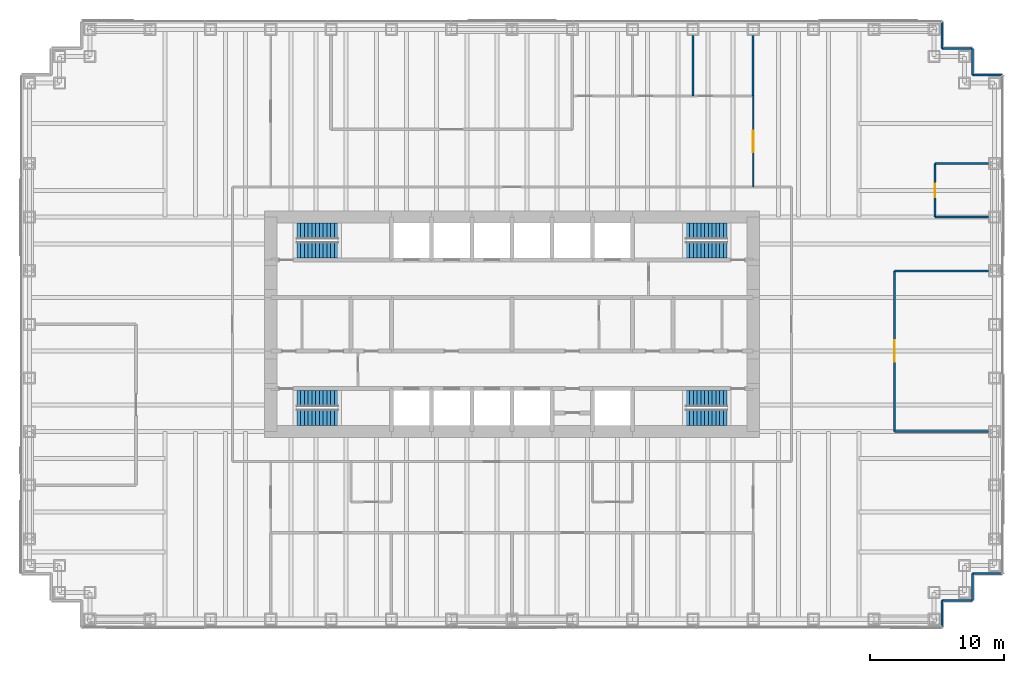
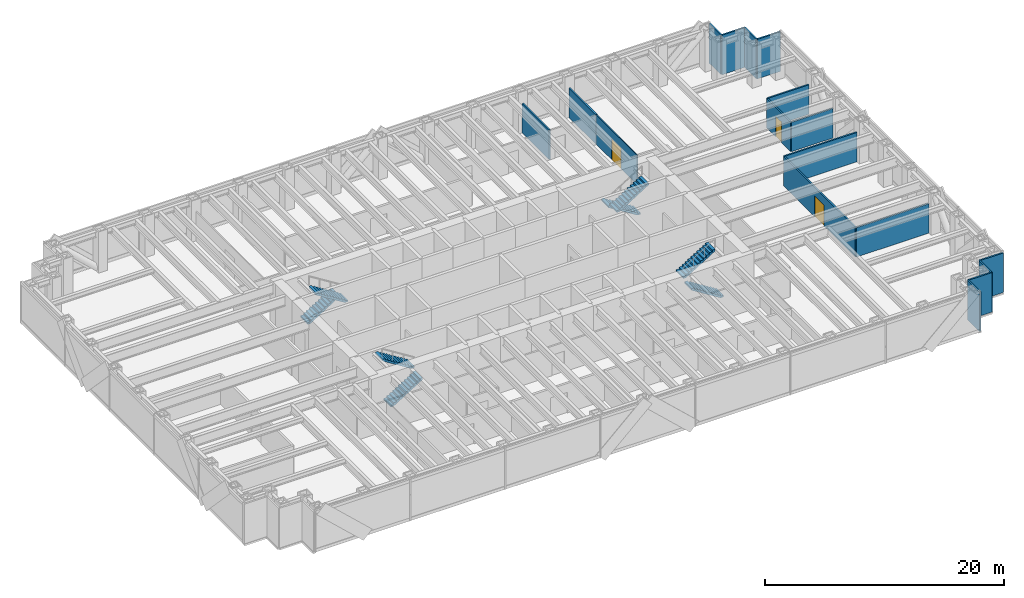
# One storey, part 14 of 15: 17 walls, 8 stair flights, 3 doors, 3 openings, 4 elements without a shape of their own.
"""IFC4 building model written with IfcOpenShell, lengths in metres."""

from ifc_helpers import new_model, si_unit, direction, frame, frame_2d, origin, place, context, subcontext, project, spatial, polyline, rectangle, outline, extrude, material, layer, layer_set, type_object, element, fill, aggregate, save


model = new_model("IFC4")

# Units and contexts
model_context = context("Model", 3, precision=1e-05, world=origin(), true_north=direction((0.0, 1.0)))
body_context = subcontext(model_context, "Body", "Model", "MODEL_VIEW")
ifc_project = project(units=[si_unit("LENGTHUNIT", "METRE"), si_unit("AREAUNIT", "SQUARE_METRE"), si_unit("VOLUMEUNIT", "CUBIC_METRE"), si_unit("PLANEANGLEUNIT", "RADIAN"), si_unit("MASSUNIT", "GRAM", prefix="KILO")], contexts=[model_context])

# Site, building, storey
site_placement = place(None, origin())
site = spatial("IfcSite", under=ifc_project, at=site_placement, CompositionType="ELEMENT")
building_placement = place(site_placement, origin())
building = spatial("IfcBuilding", under=site, at=building_placement, Name="Rheinbord Bourse Tower", CompositionType="ELEMENT")
storey_placement = place(building_placement, frame((0.0, 0.0, 150.89990234375)))
storey = spatial("IfcBuildingStorey", under=building, at=storey_placement, Name="L33", CompositionType="ELEMENT", Elevation=150.89990234375)

# Walls
ifc_material_1 = material(Name="Black metal rainscreen panel", Category="aluminium")
ifc_layer_1 = layer(ifc_material_1, 0.14990234375)
ifc_layer_set_1 = layer_set([ifc_layer_1], Name="CORNER PIER CLADDING 150")
wall_type_1 = type_object("IfcWallType", Name="CORNER PIER CLADDING 150", PredefinedType="ELEMENTEDWALL", material=ifc_layer_set_1)
wall_1_placement = place(storey_placement, frame((68.10009765625, 1.39990234375, 0.0), z_axis=(0.0, 0.0, 1.0), x_axis=(0.0, 1.0, 0.0)))
element("IfcWall", 1, at=wall_1_placement, inside=storey, type_object=wall_type_1, Name="Corner pier cladding L33 2", PredefinedType="ELEMENTEDWALL", context=body_context, shape_type="SweptSolid", body=[
    extrude(rectangle(XDim=2.0, YDim=0.14990234375, at=frame_2d((1.0, 0.0))), origin(), (0.0, 0.0, 1.0), 4.0400390625),
])
wall_2_placement = place(storey_placement, frame((68.10009765625, 3.39990234375, 0.0), z_axis=(0.0, 0.0, 1.0), x_axis=(1.0, 0.0, 0.0)))
element("IfcWall", 2, at=wall_2_placement, inside=storey, type_object=wall_type_1, Name="Corner pier cladding L33 3", PredefinedType="ELEMENTEDWALL", context=body_context, shape_type="SweptSolid", body=[
    extrude(rectangle(XDim=2.25, YDim=0.14990234375, at=frame_2d((1.125, 0.0))), origin(), (0.0, 0.0, 1.0), 4.0400390625),
])
wall_3_placement = place(storey_placement, frame((70.35009765625, 3.39990234375, 0.0), z_axis=(0.0, 0.0, 1.0), x_axis=(0.0, 1.0, 0.0)))
element("IfcWall", 3, at=wall_3_placement, inside=storey, type_object=wall_type_1, Name="Corner pier cladding L33 4", PredefinedType="ELEMENTEDWALL", context=body_context, shape_type="SweptSolid", body=[
    extrude(rectangle(XDim=2.0, YDim=0.14990234375, at=frame_2d((1.0, 0.0))), origin(), (0.0, 0.0, 1.0), 4.0400390625),
])
for number, where, z_axis, x_axis, name in (
    (4, (70.35009765625, 5.39990234375, 0.0), (0.0, 0.0, 1.0), (1.0, 0.0, 0.0), "Corner pier cladding L33 5"),
    (5, (72.60009765625, 42.60009765625, 0.0), (0.0, 0.0, 1.0), (-1.0, 0.0, 0.0), "Corner pier cladding L33 7"),
):
    element("IfcWall", number, at=place(storey_placement, frame(where, z_axis=z_axis, x_axis=x_axis)), inside=storey, type_object=wall_type_1, Name=name, PredefinedType="ELEMENTEDWALL", context=body_context, shape_type="SweptSolid", body=[
        extrude(rectangle(XDim=2.25, YDim=0.14990234375, at=frame_2d((1.125, 0.0))), origin(), (0.0, 0.0, 1.0), 4.0400390625),
    ])
wall_4_placement = place(storey_placement, frame((70.35009765625, 42.60009765625, 0.0), z_axis=(0.0, 0.0, 1.0), x_axis=(0.0, 1.0, 0.0)))
element("IfcWall", 6, at=wall_4_placement, inside=storey, type_object=wall_type_1, Name="Corner pier cladding L33 8", PredefinedType="ELEMENTEDWALL", context=body_context, shape_type="SweptSolid", body=[
    extrude(rectangle(XDim=2.0, YDim=0.14990234375, at=frame_2d((1.0, 0.0))), origin(), (0.0, 0.0, 1.0), 4.0400390625),
])
wall_5_placement = place(storey_placement, frame((70.35009765625, 44.60009765625, 0.0), z_axis=(0.0, 0.0, 1.0), x_axis=(-1.0, 0.0, 0.0)))
element("IfcWall", 7, at=wall_5_placement, inside=storey, type_object=wall_type_1, Name="Corner pier cladding L33 9", PredefinedType="ELEMENTEDWALL", context=body_context, shape_type="SweptSolid", body=[
    extrude(rectangle(XDim=2.25, YDim=0.14990234375, at=frame_2d((1.125, 0.0))), origin(), (0.0, 0.0, 1.0), 4.0400390625),
])
wall_6_placement = place(storey_placement, frame((68.10009765625, 44.60009765625, 0.0), z_axis=(0.0, 0.0, 1.0), x_axis=(0.0, 1.0, 0.0)))
element("IfcWall", 8, at=wall_6_placement, inside=storey, type_object=wall_type_1, Name="Corner pier cladding L33 10", PredefinedType="ELEMENTEDWALL", context=body_context, shape_type="SweptSolid", body=[
    extrude(rectangle(XDim=2.0, YDim=0.14990234375, at=frame_2d((1.0, 0.0))), origin(), (0.0, 0.0, 1.0), 4.0400390625),
])

# Wall, opening, door
ifc_material_2 = material(Name="Toughened laminated glass partition", Category="glass")
ifc_layer_2 = layer(ifc_material_2, 0.10009765625)
ifc_layer_set_2 = layer_set([ifc_layer_2], Name="GLAZED PARTITION 100")
wall_type_2 = type_object("IfcWallType", Name="GLAZED PARTITION 100", PredefinedType="PARTITIONING", material=ifc_layer_set_2)
wall_7_placement = place(storey_placement, frame((54.0, 34.25, 0.0), z_axis=(0.0, 0.0, 1.0), x_axis=(0.0, 1.0, 0.0)))
wall_7 = element("IfcWall", 9, at=wall_7_placement, inside=storey, type_object=wall_type_2, Name="Partition L33-32", PredefinedType="PARTITIONING", context=body_context, shape_type="SweptSolid", body=[
    extrude(rectangle(XDim=6.800048828125, YDim=0.10009765625, at=frame_2d((3.39990234375, 0.0))), origin(), (0.0, 0.0, 1.0), 3.0),
])
opening_1_placement = place(wall_7_placement, frame((2.60009765625, 0.0, 0.0)))
opening_1 = element("IfcOpeningElement", 10, at=opening_1_placement, cuts=wall_7, Name="Opening 33D17", PredefinedType="OPENING", context=body_context, shape_type="SweptSolid", body=[
    extrude(rectangle(XDim=1.60009765625, YDim=2.10009765625, at=frame_2d((0.800048828125, 1.050048828125))), frame((0.0, 0.06005859375, 0.0), z_axis=(0.0, -1.0, 0.0), x_axis=(1.0, 0.0, 0.0)), (0.0, 0.0, 1.0), 0.1201171875),
])
ifc_material_3 = material(Name="Timber door", Category="wood")
door_type_1 = type_object("IfcDoorType", Name="DOUBLE ROOM DOOR 1600", OperationType="DOUBLE_DOOR_DOUBLE_SWING", PredefinedType="DOOR", material=ifc_material_3)
door_1_placement = place(opening_1_placement, origin())
door_1 = element("IfcDoor", 11, at=door_1_placement, inside=storey, type_object=door_type_1, Name="Open area door L33", OperationType="SINGLE_SWING_LEFT", OverallHeight=2.10009765625, OverallWidth=1.60009765625, PredefinedType="DOOR", context=body_context, shape_type="SweptSolid", body=[
    extrude(rectangle(XDim=1.60009765625, YDim=2.10009765625, at=frame_2d((0.800048828125, 1.050048828125))), frame((0.0, 0.02490234375, 0.0), z_axis=(0.0, -1.0, 0.0), x_axis=(1.0, 0.0, 0.0)), (0.0, 0.0, 1.0), 0.050048828125),
])
fill(opening_1, door_1)

# Walls
ifc_material_4 = material(Name="Gypsum board partition", Category="gypsum board")
ifc_layer_3 = layer(ifc_material_4, 0.14990234375)
ifc_layer_set_3 = layer_set([ifc_layer_3], Name="PARTITION 150")
wall_type_3 = type_object("IfcWallType", Name="PARTITION 150", PredefinedType="PARTITIONING", material=ifc_layer_set_3)
for number, where, z_axis, x_axis, name in (
    (12, (64.550048828125, 16.0, 0.0), (0.0, 0.0, 1.0), (1.0, 0.0, 0.0), "Partition L33-06"),
    (13, (64.550048828125, 28.0, 0.0), (0.0, 0.0, 1.0), (1.0, 0.0, 0.0), "Partition L33-08"),
):
    element("IfcWall", number, at=place(storey_placement, frame(where, z_axis=z_axis, x_axis=x_axis)), inside=storey, type_object=wall_type_3, Name=name, PredefinedType="PARTITIONING", context=body_context, shape_type="SweptSolid", body=[
        extrude(rectangle(XDim=7.0, YDim=0.14990234375, at=frame_2d((3.5, 0.0))), origin(), (0.0, 0.0, 1.0), 3.0),
    ])
for number, where, z_axis, x_axis, name in (
    (14, (67.550048828125, 32.0, 0.0), (0.0, 0.0, 1.0), (1.0, 0.0, 0.0), "Partition L33-09"),
    (15, (67.550048828125, 36.0, 0.0), (0.0, 0.0, 1.0), (1.0, 0.0, 0.0), "Partition L33-11"),
):
    element("IfcWall", number, at=place(storey_placement, frame(where, z_axis=z_axis, x_axis=x_axis)), inside=storey, type_object=wall_type_3, Name=name, PredefinedType="PARTITIONING", context=body_context, shape_type="SweptSolid", body=[
        extrude(rectangle(XDim=4.0, YDim=0.14990234375, at=frame_2d((2.0, 0.0))), origin(), (0.0, 0.0, 1.0), 3.0),
    ])
for number, where, z_axis, x_axis, name in (
    (16, (49.5, 41.050048828125, 0.0), (0.0, 0.0, 1.0), (0.0, 1.0, 0.0), "Partition L33-29"),
    (17, (54.0, 41.050048828125, 0.0), (0.0, 0.0, 1.0), (0.0, 1.0, 0.0), "Partition L33-33"),
):
    element("IfcWall", number, at=place(storey_placement, frame(where, z_axis=z_axis, x_axis=x_axis)), inside=storey, type_object=wall_type_3, Name=name, PredefinedType="PARTITIONING", context=body_context, shape_type="SweptSolid", body=[
        extrude(rectangle(XDim=4.5, YDim=0.14990234375, at=frame_2d((2.25, 0.0))), origin(), (0.0, 0.0, 1.0), 3.0),
    ])

# Wall, opening, door
wall_8_placement = place(storey_placement, frame((64.550048828125, 16.0, 0.0), z_axis=(0.0, 0.0, 1.0), x_axis=(0.0, 1.0, 0.0)))
wall_8 = element("IfcWall", 18, at=wall_8_placement, inside=storey, type_object=wall_type_3, Name="Partition L33-35", PredefinedType="PARTITIONING", context=body_context, shape_type="SweptSolid", body=[
    extrude(rectangle(XDim=12.0, YDim=0.14990234375, at=frame_2d((6.0, 0.0))), origin(), (0.0, 0.0, 1.0), 3.0),
])
opening_2_placement = place(wall_8_placement, frame((5.199951171875, 0.0, 0.0)))
opening_2 = element("IfcOpeningElement", 19, at=opening_2_placement, cuts=wall_8, Name="Opening 33D08", PredefinedType="OPENING", context=body_context, shape_type="SweptSolid", body=[
    extrude(rectangle(XDim=1.60009765625, YDim=2.10009765625, at=frame_2d((0.800048828125, 1.050048828125))), frame((0.0, 0.0849609375, 0.0), z_axis=(0.0, -1.0, 0.0), x_axis=(1.0, 0.0, 0.0)), (0.0, 0.0, 1.0), 0.169921875),
])
door_2_placement = place(opening_2_placement, origin())
door_2 = element("IfcDoor", 20, at=door_2_placement, inside=storey, type_object=door_type_1, Name="Student lounge door L33", OperationType="SINGLE_SWING_LEFT", OverallHeight=2.10009765625, OverallWidth=1.60009765625, PredefinedType="DOOR", context=body_context, shape_type="SweptSolid", body=[
    extrude(rectangle(XDim=1.60009765625, YDim=2.10009765625, at=frame_2d((0.800048828125, 1.050048828125))), frame((0.0, 0.02490234375, 0.0), z_axis=(0.0, -1.0, 0.0), x_axis=(1.0, 0.0, 0.0)), (0.0, 0.0, 1.0), 0.050048828125),
])
fill(opening_2, door_2)

wall_9_placement = place(storey_placement, frame((67.550048828125, 32.0, 0.0), z_axis=(0.0, 0.0, 1.0), x_axis=(0.0, 1.0, 0.0)))
wall_9 = element("IfcWall", 21, at=wall_9_placement, inside=storey, type_object=wall_type_3, Name="Partition L33-36", PredefinedType="PARTITIONING", context=body_context, shape_type="SweptSolid", body=[
    extrude(rectangle(XDim=4.0, YDim=0.14990234375, at=frame_2d((2.0, 0.0))), origin(), (0.0, 0.0, 1.0), 3.0),
])
opening_3_placement = place(wall_9_placement, frame((1.5, 0.0, 0.0)))
opening_3 = element("IfcOpeningElement", 22, at=opening_3_placement, cuts=wall_9, Name="Opening 33D09", PredefinedType="OPENING", context=body_context, shape_type="SweptSolid", body=[
    extrude(rectangle(XDim=1.0, YDim=2.10009765625, at=frame_2d((0.5, 1.050048828125))), frame((0.0, 0.0849609375, 0.0), z_axis=(0.0, -1.0, 0.0), x_axis=(1.0, 0.0, 0.0)), (0.0, 0.0, 1.0), 0.169921875),
])
ifc_material_5 = material(Name="Timber door", Category="wood")
door_type_2 = type_object("IfcDoorType", Name="ROOM DOOR 1000", OperationType="SINGLE_SWING_LEFT", PredefinedType="DOOR", material=ifc_material_5)
door_3_placement = place(opening_3_placement, origin())
door_3 = element("IfcDoor", 23, at=door_3_placement, inside=storey, type_object=door_type_2, Name="Store door L33", OperationType="SINGLE_SWING_LEFT", OverallHeight=2.10009765625, OverallWidth=1.0, PredefinedType="DOOR", context=body_context, shape_type="SweptSolid", body=[
    extrude(rectangle(XDim=1.0, YDim=2.10009765625, at=frame_2d((0.5, 1.050048828125))), frame((0.0, 0.02490234375, 0.0), z_axis=(0.0, -1.0, 0.0), x_axis=(1.0, 0.0, 0.0)), (0.0, 0.0, 1.0), 0.050048828125),
])
fill(opening_3, door_3)

# Stair, stair flights
ifc_material_6 = material(Name="Concrete C30/37", Category="concrete")
stair_type = type_object("IfcStairType", Name="CORE STAIR HALF TURN 4200", PredefinedType="HALF_TURN_STAIR", material=ifc_material_6)
stair_1_placement = place(storey_placement, origin())
stair_1 = element("IfcStair", 24, at=stair_1_placement, inside=storey, type_object=stair_type, Name="Stair ST1 L33, type CS6", PredefinedType="HALF_TURN_STAIR")
ifc_material_7 = material(Name="Concrete C30/37", Category="concrete")
stair_flight_type = type_object("IfcStairFlightType", Name="CORE STAIR FLIGHT 1200, 12 RISERS", PredefinedType="STRAIGHT", material=ifc_material_7)
stair_flight_1_placement = place(storey_placement, frame((19.949951171875, 17.050048828125, 0.0), z_axis=(0.0, 0.0, 1.0), x_axis=(1.0, 0.0, 0.0)))
stair_flight_1 = element("IfcStairFlight", 25, at=stair_flight_1_placement, type_object=stair_flight_type, Name="STAIR L33 ST1 F1", NumberOfRisers=12, NumberOfTreads=11, PredefinedType="STRAIGHT", RiserHeight=0.175, TreadLength=0.28, context=body_context, shape_type="SweptSolid", body=[
    extrude(outline(polyline([(0.0, 0.0), (0.0, 0.175048828125), (0.280029296875, 0.175048828125), (0.280029296875, 0.35009765625), (0.56005859375, 0.35009765625), (0.56005859375, 0.52490234375), (0.840087890625, 0.52490234375), (0.840087890625, 0.699951171875), (1.1201171875, 0.699951171875), (1.1201171875, 0.875), (1.39990234375, 0.875), (1.39990234375, 1.050048828125), (1.679931640625, 1.050048828125), (1.679931640625, 1.22509765625), (1.9599609375, 1.22509765625), (1.9599609375, 1.39990234375), (2.239990234375, 1.39990234375), (2.239990234375, 1.574951171875), (2.52001953125, 1.574951171875), (2.52001953125, 1.75), (2.800048828125, 1.75), (2.800048828125, 1.925048828125), (3.080078125, 1.925048828125), (3.080078125, 2.10009765625), (3.080078125, 1.748291015625), (0.28271484375, 0.0), (0.0, 0.0)])), frame((0.0, 0.60009765625, 0.0), z_axis=(0.0, -1.0, 0.0), x_axis=(1.0, 0.0, 0.0)), (0.0, 0.0, 1.0), 1.199951171875),
])
stair_flight_2_placement = place(storey_placement, frame((23.030029296875, 18.449951171875, 2.10009765625), z_axis=(0.0, 0.0, 1.0), x_axis=(-1.0, 0.0, 0.0)))
stair_flight_2 = element("IfcStairFlight", 26, at=stair_flight_2_placement, type_object=stair_flight_type, Name="STAIR L33 ST1 F2", NumberOfRisers=12, NumberOfTreads=11, PredefinedType="STRAIGHT", RiserHeight=0.175, TreadLength=0.28, context=body_context, shape_type="SweptSolid", body=[
    extrude(outline(polyline([(0.0, 0.0), (0.0, 0.175048828125), (0.280029296875, 0.175048828125), (0.280029296875, 0.35009765625), (0.56005859375, 0.35009765625), (0.56005859375, 0.52490234375), (0.840087890625, 0.52490234375), (0.840087890625, 0.699951171875), (1.1201171875, 0.699951171875), (1.1201171875, 0.875), (1.39990234375, 0.875), (1.39990234375, 1.050048828125), (1.679931640625, 1.050048828125), (1.679931640625, 1.22509765625), (1.9599609375, 1.22509765625), (1.9599609375, 1.39990234375), (2.239990234375, 1.39990234375), (2.239990234375, 1.574951171875), (2.52001953125, 1.574951171875), (2.52001953125, 1.75), (2.800048828125, 1.75), (2.800048828125, 1.925048828125), (3.080078125, 1.925048828125), (3.080078125, 2.10009765625), (3.080078125, 1.748291015625), (0.28271484375, 0.0), (0.0, 0.0)])), frame((0.0, 0.60009765625, 0.0), z_axis=(0.0, -1.0, 0.0), x_axis=(1.0, 0.0, 0.0)), (0.0, 0.0, 1.0), 1.199951171875),
])
aggregate(stair_1, [stair_flight_1, stair_flight_2])

stair_2_placement = place(storey_placement, origin())
stair_2 = element("IfcStair", 27, at=stair_2_placement, inside=storey, type_object=stair_type, Name="Stair ST2 L33, type CS6", PredefinedType="HALF_TURN_STAIR")
stair_flight_3_placement = place(storey_placement, frame((19.949951171875, 30.949951171875, 0.0), z_axis=(0.0, 0.0, 1.0), x_axis=(1.0, 0.0, 0.0)))
stair_flight_3 = element("IfcStairFlight", 28, at=stair_flight_3_placement, type_object=stair_flight_type, Name="STAIR L33 ST2 F1", NumberOfRisers=12, NumberOfTreads=11, PredefinedType="STRAIGHT", RiserHeight=0.175, TreadLength=0.28, context=body_context, shape_type="SweptSolid", body=[
    extrude(outline(polyline([(0.0, 0.0), (0.0, 0.175048828125), (0.280029296875, 0.175048828125), (0.280029296875, 0.35009765625), (0.56005859375, 0.35009765625), (0.56005859375, 0.52490234375), (0.840087890625, 0.52490234375), (0.840087890625, 0.699951171875), (1.1201171875, 0.699951171875), (1.1201171875, 0.875), (1.39990234375, 0.875), (1.39990234375, 1.050048828125), (1.679931640625, 1.050048828125), (1.679931640625, 1.22509765625), (1.9599609375, 1.22509765625), (1.9599609375, 1.39990234375), (2.239990234375, 1.39990234375), (2.239990234375, 1.574951171875), (2.52001953125, 1.574951171875), (2.52001953125, 1.75), (2.800048828125, 1.75), (2.800048828125, 1.925048828125), (3.080078125, 1.925048828125), (3.080078125, 2.10009765625), (3.080078125, 1.748291015625), (0.28271484375, 0.0), (0.0, 0.0)])), frame((0.0, 0.60009765625, 0.0), z_axis=(0.0, -1.0, 0.0), x_axis=(1.0, 0.0, 0.0)), (0.0, 0.0, 1.0), 1.199951171875),
])
stair_flight_4_placement = place(storey_placement, frame((23.030029296875, 29.550048828125, 2.10009765625), z_axis=(0.0, 0.0, 1.0), x_axis=(-1.0, 0.0, 0.0)))
stair_flight_4 = element("IfcStairFlight", 29, at=stair_flight_4_placement, type_object=stair_flight_type, Name="STAIR L33 ST2 F2", NumberOfRisers=12, NumberOfTreads=11, PredefinedType="STRAIGHT", RiserHeight=0.175, TreadLength=0.28, context=body_context, shape_type="SweptSolid", body=[
    extrude(outline(polyline([(0.0, 0.0), (0.0, 0.175048828125), (0.280029296875, 0.175048828125), (0.280029296875, 0.35009765625), (0.56005859375, 0.35009765625), (0.56005859375, 0.52490234375), (0.840087890625, 0.52490234375), (0.840087890625, 0.699951171875), (1.1201171875, 0.699951171875), (1.1201171875, 0.875), (1.39990234375, 0.875), (1.39990234375, 1.050048828125), (1.679931640625, 1.050048828125), (1.679931640625, 1.22509765625), (1.9599609375, 1.22509765625), (1.9599609375, 1.39990234375), (2.239990234375, 1.39990234375), (2.239990234375, 1.574951171875), (2.52001953125, 1.574951171875), (2.52001953125, 1.75), (2.800048828125, 1.75), (2.800048828125, 1.925048828125), (3.080078125, 1.925048828125), (3.080078125, 2.10009765625), (3.080078125, 1.748291015625), (0.28271484375, 0.0), (0.0, 0.0)])), frame((0.0, 0.60009765625, 0.0), z_axis=(0.0, -1.0, 0.0), x_axis=(1.0, 0.0, 0.0)), (0.0, 0.0, 1.0), 1.199951171875),
])
aggregate(stair_2, [stair_flight_3, stair_flight_4])

stair_3_placement = place(storey_placement, origin())
stair_3 = element("IfcStair", 30, at=stair_3_placement, inside=storey, type_object=stair_type, Name="Stair ST3 L33, type CS6", PredefinedType="HALF_TURN_STAIR")
stair_flight_5_placement = place(storey_placement, frame((52.050048828125, 17.050048828125, 0.0), z_axis=(0.0, 0.0, 1.0), x_axis=(-1.0, 0.0, 0.0)))
stair_flight_5 = element("IfcStairFlight", 31, at=stair_flight_5_placement, type_object=stair_flight_type, Name="STAIR L33 ST3 F1", NumberOfRisers=12, NumberOfTreads=11, PredefinedType="STRAIGHT", RiserHeight=0.175, TreadLength=0.28, context=body_context, shape_type="SweptSolid", body=[
    extrude(outline(polyline([(0.0, 0.0), (0.0, 0.175048828125), (0.280029296875, 0.175048828125), (0.280029296875, 0.35009765625), (0.56005859375, 0.35009765625), (0.56005859375, 0.52490234375), (0.840087890625, 0.52490234375), (0.840087890625, 0.699951171875), (1.1201171875, 0.699951171875), (1.1201171875, 0.875), (1.39990234375, 0.875), (1.39990234375, 1.050048828125), (1.679931640625, 1.050048828125), (1.679931640625, 1.22509765625), (1.9599609375, 1.22509765625), (1.9599609375, 1.39990234375), (2.239990234375, 1.39990234375), (2.239990234375, 1.574951171875), (2.52001953125, 1.574951171875), (2.52001953125, 1.75), (2.800048828125, 1.75), (2.800048828125, 1.925048828125), (3.080078125, 1.925048828125), (3.080078125, 2.10009765625), (3.080078125, 1.748291015625), (0.28271484375, 0.0), (0.0, 0.0)])), frame((0.0, 0.60009765625, 0.0), z_axis=(0.0, -1.0, 0.0), x_axis=(1.0, 0.0, 0.0)), (0.0, 0.0, 1.0), 1.199951171875),
])
stair_flight_6_placement = place(storey_placement, frame((48.969970703125, 18.449951171875, 2.10009765625), z_axis=(0.0, 0.0, 1.0), x_axis=(1.0, 0.0, 0.0)))
stair_flight_6 = element("IfcStairFlight", 32, at=stair_flight_6_placement, type_object=stair_flight_type, Name="STAIR L33 ST3 F2", NumberOfRisers=12, NumberOfTreads=11, PredefinedType="STRAIGHT", RiserHeight=0.175, TreadLength=0.28, context=body_context, shape_type="SweptSolid", body=[
    extrude(outline(polyline([(0.0, 0.0), (0.0, 0.175048828125), (0.280029296875, 0.175048828125), (0.280029296875, 0.35009765625), (0.56005859375, 0.35009765625), (0.56005859375, 0.52490234375), (0.840087890625, 0.52490234375), (0.840087890625, 0.699951171875), (1.1201171875, 0.699951171875), (1.1201171875, 0.875), (1.39990234375, 0.875), (1.39990234375, 1.050048828125), (1.679931640625, 1.050048828125), (1.679931640625, 1.22509765625), (1.9599609375, 1.22509765625), (1.9599609375, 1.39990234375), (2.239990234375, 1.39990234375), (2.239990234375, 1.574951171875), (2.52001953125, 1.574951171875), (2.52001953125, 1.75), (2.800048828125, 1.75), (2.800048828125, 1.925048828125), (3.080078125, 1.925048828125), (3.080078125, 2.10009765625), (3.080078125, 1.748291015625), (0.28271484375, 0.0), (0.0, 0.0)])), frame((0.0, 0.60009765625, 0.0), z_axis=(0.0, -1.0, 0.0), x_axis=(1.0, 0.0, 0.0)), (0.0, 0.0, 1.0), 1.199951171875),
])
aggregate(stair_3, [stair_flight_5, stair_flight_6])

stair_4_placement = place(storey_placement, origin())
stair_4 = element("IfcStair", 33, at=stair_4_placement, inside=storey, type_object=stair_type, Name="Stair ST4 L33, type CS6", PredefinedType="HALF_TURN_STAIR")
stair_flight_7_placement = place(storey_placement, frame((52.050048828125, 30.949951171875, 0.0), z_axis=(0.0, 0.0, 1.0), x_axis=(-1.0, 0.0, 0.0)))
stair_flight_7 = element("IfcStairFlight", 34, at=stair_flight_7_placement, type_object=stair_flight_type, Name="STAIR L33 ST4 F1", NumberOfRisers=12, NumberOfTreads=11, PredefinedType="STRAIGHT", RiserHeight=0.175, TreadLength=0.28, context=body_context, shape_type="SweptSolid", body=[
    extrude(outline(polyline([(0.0, 0.0), (0.0, 0.175048828125), (0.280029296875, 0.175048828125), (0.280029296875, 0.35009765625), (0.56005859375, 0.35009765625), (0.56005859375, 0.52490234375), (0.840087890625, 0.52490234375), (0.840087890625, 0.699951171875), (1.1201171875, 0.699951171875), (1.1201171875, 0.875), (1.39990234375, 0.875), (1.39990234375, 1.050048828125), (1.679931640625, 1.050048828125), (1.679931640625, 1.22509765625), (1.9599609375, 1.22509765625), (1.9599609375, 1.39990234375), (2.239990234375, 1.39990234375), (2.239990234375, 1.574951171875), (2.52001953125, 1.574951171875), (2.52001953125, 1.75), (2.800048828125, 1.75), (2.800048828125, 1.925048828125), (3.080078125, 1.925048828125), (3.080078125, 2.10009765625), (3.080078125, 1.748291015625), (0.28271484375, 0.0), (0.0, 0.0)])), frame((0.0, 0.60009765625, 0.0), z_axis=(0.0, -1.0, 0.0), x_axis=(1.0, 0.0, 0.0)), (0.0, 0.0, 1.0), 1.199951171875),
])
stair_flight_8_placement = place(storey_placement, frame((48.969970703125, 29.550048828125, 2.10009765625), z_axis=(0.0, 0.0, 1.0), x_axis=(1.0, 0.0, 0.0)))
stair_flight_8 = element("IfcStairFlight", 35, at=stair_flight_8_placement, type_object=stair_flight_type, Name="STAIR L33 ST4 F2", NumberOfRisers=12, NumberOfTreads=11, PredefinedType="STRAIGHT", RiserHeight=0.175, TreadLength=0.28, context=body_context, shape_type="SweptSolid", body=[
    extrude(outline(polyline([(0.0, 0.0), (0.0, 0.175048828125), (0.280029296875, 0.175048828125), (0.280029296875, 0.35009765625), (0.56005859375, 0.35009765625), (0.56005859375, 0.52490234375), (0.840087890625, 0.52490234375), (0.840087890625, 0.699951171875), (1.1201171875, 0.699951171875), (1.1201171875, 0.875), (1.39990234375, 0.875), (1.39990234375, 1.050048828125), (1.679931640625, 1.050048828125), (1.679931640625, 1.22509765625), (1.9599609375, 1.22509765625), (1.9599609375, 1.39990234375), (2.239990234375, 1.39990234375), (2.239990234375, 1.574951171875), (2.52001953125, 1.574951171875), (2.52001953125, 1.75), (2.800048828125, 1.75), (2.800048828125, 1.925048828125), (3.080078125, 1.925048828125), (3.080078125, 2.10009765625), (3.080078125, 1.748291015625), (0.28271484375, 0.0), (0.0, 0.0)])), frame((0.0, 0.60009765625, 0.0), z_axis=(0.0, -1.0, 0.0), x_axis=(1.0, 0.0, 0.0)), (0.0, 0.0, 1.0), 1.199951171875),
])
aggregate(stair_4, [stair_flight_7, stair_flight_8])

save(model, "model.ifc")
